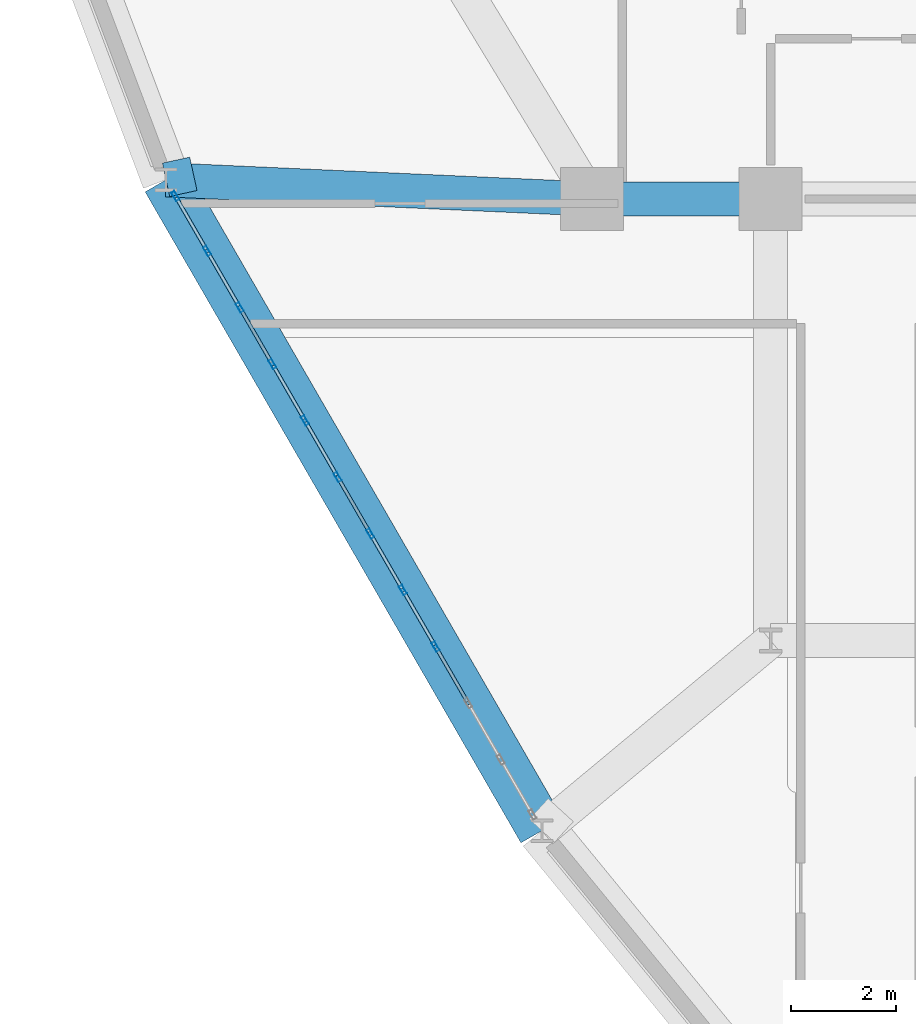
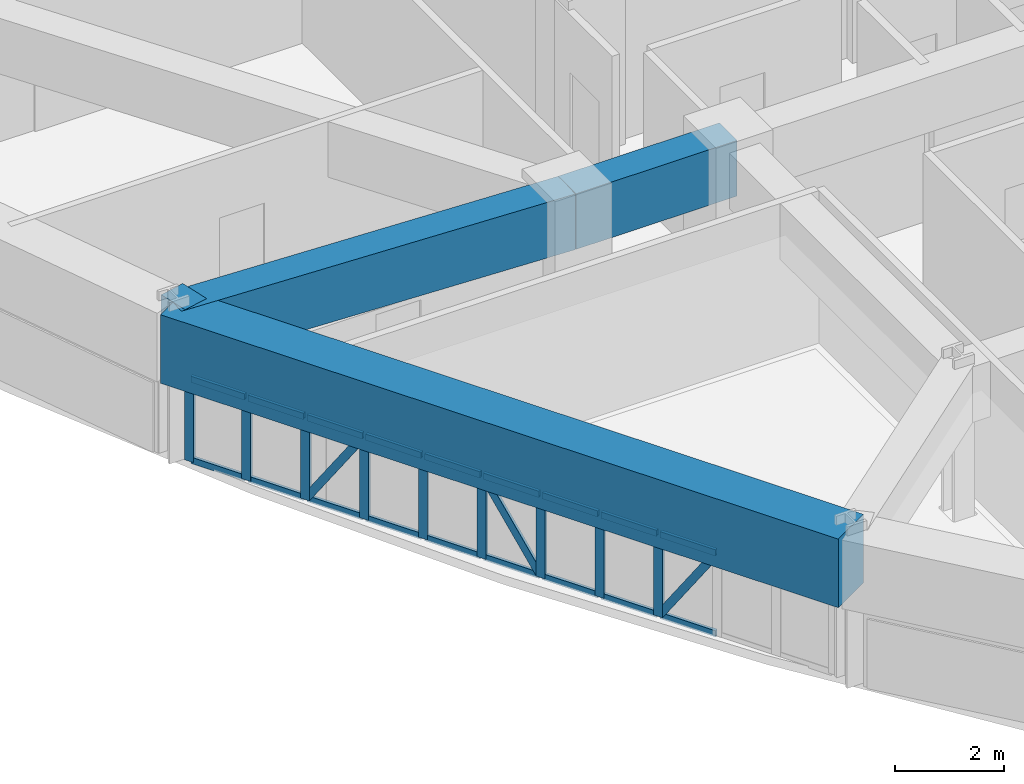
# One storey, part 4 of 16: 30 members, 4 beams, 1 element without a shape of its own.
"""IFC4 building model written with IfcOpenShell, lengths in metres."""

from ifc_helpers import new_model, si_unit, derived_unit, direction, frame, origin, origin_2d, place, context, subcontext, project, spatial, rectangle, hollow_rectangle, extrude, source, transform, mapped, material, layer, layer_set, material_profile, profile_set, type_object, element, aggregate, save


model = new_model("IFC4")

# Units and contexts
model_context = context("Model", 3, precision=1e-05, world=origin(), true_north=direction((0.0, 1.0)))
body_context = subcontext(model_context, "Body", "Model", "MODEL_VIEW")
ifc_project = project(units=[si_unit("LENGTHUNIT", "METRE"), si_unit("AREAUNIT", "SQUARE_METRE"), si_unit("VOLUMEUNIT", "CUBIC_METRE"), si_unit("PLANEANGLEUNIT", "RADIAN"), si_unit("MASSUNIT", "GRAM", prefix="KILO"), derived_unit("THERMALTRANSMITTANCEUNIT", [(si_unit("POWERUNIT", "WATT"), 1), (si_unit("LENGTHUNIT", "METRE"), -2), (si_unit("THERMODYNAMICTEMPERATUREUNIT", "KELVIN"), -1)])], contexts=[model_context])

# Site, building, storey
site_placement = place(None, origin())
site = spatial("IfcSite", under=ifc_project, at=site_placement, CompositionType="ELEMENT")
building_placement = place(site_placement, origin())
building = spatial("IfcBuilding", under=site, at=building_placement, Name="Korsvarv Bourse and Concert Hall", CompositionType="ELEMENT")
storey_placement = place(building_placement, frame((0.0, 0.0, 106.199951171875)))
storey = spatial("IfcBuildingStorey", under=building, at=storey_placement, Name="L26", CompositionType="ELEMENT", Elevation=106.199951171875)

# Beams
ifc_material_1 = material(Name="Concrete C50/60", Category="concrete")
ifc_material_profile_1 = material_profile(ifc_material_1, rectangle(XDim=0.64990234375, YDim=1.239990234375, at=origin_2d()), Name="RC-BM 650x1240")
ifc_profile_set_1 = profile_set([ifc_material_profile_1], Name="Concrete C50/60")
beam_type_1 = type_object("IfcBeamType", Name="BM-TR-SPN", PredefinedType="BEAM", material=ifc_profile_set_1)
shared_shape_1 = source(origin(), body_context, "Body", "SweptSolid", [
    extrude(rectangle(XDim=0.64990234375, YDim=1.239990234375, at=origin_2d()), origin(), (0.0, 0.0, 1.0), 3.400146484375),
])
beam_1_placement = place(storey_placement, frame((24.199951171875, 32.39990234375, 2.780029296875), z_axis=(1.0, 0.0, 0.0), x_axis=(0.0, 1.0, 0.0)))
element("IfcBeam", 1, at=beam_1_placement, inside=storey, type_object=beam_type_1, Name="L26 beam B-TRS", PredefinedType="BEAM", context=body_context, shape_type="MappedRepresentation", body=[
    mapped(shared_shape_1, transform((0.0, 0.0, 0.0), scale=1.0)),
])
ifc_material_profile_2 = material_profile(ifc_material_1, rectangle(XDim=0.919921875, YDim=1.530029296875, at=origin_2d()), Name="RC-BM 920x1530")
ifc_profile_set_2 = profile_set([ifc_material_profile_2], Name="Concrete C50/60")
beam_type_2 = type_object("IfcBeamType", Name="BM-TR-154", PredefinedType="BEAM", material=ifc_profile_set_2)
shared_shape_2 = source(origin(), body_context, "Body", "SweptSolid", [
    extrude(rectangle(XDim=0.919921875, YDim=1.530029296875, at=origin_2d()), origin(), (0.0, 0.0, 1.0), 14.298828125),
])
beam_2_placement = place(storey_placement, frame((16.099365234375, 32.765869140625, 2.635009765625), z_axis=(0.500002778788, -0.866023799444, 0.0), x_axis=(0.866023799444, 0.500002778788, 0.0)))
element("IfcBeam", 2, at=beam_2_placement, inside=storey, type_object=beam_type_2, Name="L26 beam B-TR6", PredefinedType="BEAM", context=body_context, shape_type="MappedRepresentation", body=[
    mapped(shared_shape_2, transform((0.0, 0.0, 0.0), scale=1.0)),
])
shared_shape_3 = source(origin(), body_context, "Body", "SweptSolid", [
    extrude(rectangle(XDim=0.64990234375, YDim=1.239990234375, at=origin_2d()), origin(), (0.0, 0.0, 1.0), 8.10888671875),
])
beam_3_placement = place(storey_placement, frame((16.099365234375, 32.765869140625, 2.780029296875), z_axis=(0.998981041914, -0.04513178366, 0.0), x_axis=(0.04513178366, 0.998981041914, 0.0)))
element("IfcBeam", 3, at=beam_3_placement, inside=storey, type_object=beam_type_1, Name="L26 beam B-TRS", PredefinedType="BEAM", context=body_context, shape_type="MappedRepresentation", body=[
    mapped(shared_shape_3, transform((0.0, 0.0, 0.0), scale=1.0)),
])
shared_shape_4 = source(origin(), body_context, "Body", "SweptSolid", [
    extrude(rectangle(XDim=0.64990234375, YDim=1.239990234375, at=origin_2d()), origin(), (0.0, 0.0, 1.0), 0.531982421875),
])
beam_4_placement = place(storey_placement, frame((16.099365234375, 32.765869140625, 2.780029296875), z_axis=(0.976968821008, 0.213382105105, 0.0), x_axis=(-0.213382105105, 0.976968821008, 0.0)))
element("IfcBeam", 4, at=beam_4_placement, inside=storey, type_object=beam_type_1, Name="L26 beam B-TRS", PredefinedType="BEAM", context=body_context, shape_type="MappedRepresentation", body=[
    mapped(shared_shape_4, transform((0.0, 0.0, 0.0), scale=1.0)),
])

# Curtain wall, members
ifc_material_2 = material(Name="Anodised aluminium and triple low-E glazing", Category="glass")
ifc_layer = layer(ifc_material_2, 0.2099609375)
ifc_layer_set = layer_set([ifc_layer], Name="Anodised aluminium and triple low-E glazing")
curtain_wall_type = type_object("IfcCurtainWallType", Name="CW-SYS-2", PredefinedType="NOTDEFINED", material=ifc_layer_set)
curtain_wall_placement = place(storey_placement, origin())
curtain_wall = element("IfcCurtainWall", 5, at=curtain_wall_placement, inside=storey, type_object=curtain_wall_type, Name="L26 CW2 curtain wall CW-L26-F07", PredefinedType="NOTDEFINED")
ifc_material_3 = material(Name="Extruded aluminium EN AW-6063 T66", Category="aluminium")
ifc_material_profile_3 = material_profile(ifc_material_3, hollow_rectangle(XDim=0.070068359375, YDim=0.18994140625, WallThickness=0.0048828125, at=origin_2d()), Name="ALU-M 70x190")
ifc_profile_set_3 = profile_set([ifc_material_profile_3], Name="Extruded aluminium EN AW-6063 T66")
member_type_1 = type_object("IfcMemberType", Name="CWM-190", PredefinedType="MULLION", material=ifc_profile_set_3)
shared_shape_5 = source(origin(), body_context, "Body", "SweptSolid", [
    extrude(hollow_rectangle(XDim=0.070068359375, YDim=0.18994140625, WallThickness=0.0048828125, at=origin_2d()), origin(), (0.0, 0.0, 1.0), 1.8701171875),
])
member_1_placement = place(storey_placement, frame((16.277099609375, 32.4580078125, 0.0), z_axis=(0.0, 0.0, 1.0), x_axis=(0.866024031595, 0.500002376695, 0.0)))
member_1 = element("IfcMember", 6, at=member_1_placement, type_object=member_type_1, Name="CW2 mullion 1", PredefinedType="MULLION", context=body_context, shape_type="MappedRepresentation", body=[
    mapped(shared_shape_5, transform((0.0, 0.0, 0.0), scale=1.0)),
])
member_2_placement = place(storey_placement, frame((16.88037109375, 31.4130859375, 0.0), z_axis=(0.0, 0.0, 1.0), x_axis=(0.866024031595, 0.500002376695, 0.0)))
member_2 = element("IfcMember", 7, at=member_2_placement, type_object=member_type_1, Name="CW2 mullion 2", PredefinedType="MULLION", context=body_context, shape_type="MappedRepresentation", body=[
    mapped(shared_shape_5, transform((0.0, 0.0, 0.0), scale=1.0)),
])
member_3_placement = place(storey_placement, frame((17.501220703125, 30.337646484375, 0.0), z_axis=(0.0, 0.0, 1.0), x_axis=(0.866024031595, 0.500002376695, 0.0)))
member_3 = element("IfcMember", 8, at=member_3_placement, type_object=member_type_1, Name="CW2 mullion 3", PredefinedType="MULLION", context=body_context, shape_type="MappedRepresentation", body=[
    mapped(shared_shape_5, transform((0.0, 0.0, 0.0), scale=1.0)),
])
member_4_placement = place(storey_placement, frame((18.1220703125, 29.262451171875, 0.0), z_axis=(0.0, 0.0, 1.0), x_axis=(0.866024031595, 0.500002376695, 0.0)))
member_4 = element("IfcMember", 9, at=member_4_placement, type_object=member_type_1, Name="CW2 mullion 4", PredefinedType="MULLION", context=body_context, shape_type="MappedRepresentation", body=[
    mapped(shared_shape_5, transform((0.0, 0.0, 0.0), scale=1.0)),
])
member_5_placement = place(storey_placement, frame((18.742919921875, 28.187255859375, 0.0), z_axis=(0.0, 0.0, 1.0), x_axis=(0.866024031595, 0.500002376695, 0.0)))
member_5 = element("IfcMember", 10, at=member_5_placement, type_object=member_type_1, Name="CW2 mullion 5", PredefinedType="MULLION", context=body_context, shape_type="MappedRepresentation", body=[
    mapped(shared_shape_5, transform((0.0, 0.0, 0.0), scale=1.0)),
])
member_6_placement = place(storey_placement, frame((19.36376953125, 27.11181640625, 0.0), z_axis=(0.0, 0.0, 1.0), x_axis=(0.866024031595, 0.500002376695, 0.0)))
member_6 = element("IfcMember", 11, at=member_6_placement, type_object=member_type_1, Name="CW2 mullion 6", PredefinedType="MULLION", context=body_context, shape_type="MappedRepresentation", body=[
    mapped(shared_shape_5, transform((0.0, 0.0, 0.0), scale=1.0)),
])
member_7_placement = place(storey_placement, frame((19.984619140625, 26.03662109375, 0.0), z_axis=(0.0, 0.0, 1.0), x_axis=(0.866024031595, 0.500002376695, 0.0)))
member_7 = element("IfcMember", 12, at=member_7_placement, type_object=member_type_1, Name="CW2 mullion 7", PredefinedType="MULLION", context=body_context, shape_type="MappedRepresentation", body=[
    mapped(shared_shape_5, transform((0.0, 0.0, 0.0), scale=1.0)),
])
member_8_placement = place(storey_placement, frame((20.605224609375, 24.96142578125, 0.0), z_axis=(0.0, 0.0, 1.0), x_axis=(0.866024031595, 0.500002376695, 0.0)))
member_8 = element("IfcMember", 13, at=member_8_placement, type_object=member_type_1, Name="CW2 mullion 8", PredefinedType="MULLION", context=body_context, shape_type="MappedRepresentation", body=[
    mapped(shared_shape_5, transform((0.0, 0.0, 0.0), scale=1.0)),
])
member_9_placement = place(storey_placement, frame((21.22607421875, 23.885986328125, 0.0), z_axis=(0.0, 0.0, 1.0), x_axis=(0.866024031595, 0.500002376695, 0.0)))
member_9 = element("IfcMember", 14, at=member_9_placement, type_object=member_type_1, Name="CW2 mullion 9", PredefinedType="MULLION", context=body_context, shape_type="MappedRepresentation", body=[
    mapped(shared_shape_5, transform((0.0, 0.0, 0.0), scale=1.0)),
])
ifc_material_profile_4 = material_profile(ifc_material_3, hollow_rectangle(XDim=0.06494140625, YDim=0.139892578125, WallThickness=0.00390625, at=origin_2d()), Name="ALU-T 65x140")
ifc_profile_set_4 = profile_set([ifc_material_profile_4], Name="Extruded aluminium EN AW-6063 T66")
member_type_2 = type_object("IfcMemberType", Name="CWT-140", PredefinedType="USERDEFINED", material=ifc_profile_set_4)
shared_shape_6 = source(origin(), body_context, "Body", "SweptSolid", [
    extrude(hollow_rectangle(XDim=0.06494140625, YDim=0.139892578125, WallThickness=0.00390625, at=origin_2d()), origin(), (0.0, 0.0, 1.0), 1.13671875),
])
member_10_placement = place(storey_placement, frame((16.294677734375, 32.427734375, 0.032470703125), z_axis=(0.50001992892, -0.866013897511, 0.0), x_axis=(0.866013897511, 0.50001992892, 0.0)))
member_10 = element("IfcMember", 15, at=member_10_placement, type_object=member_type_2, Name="CW2 transom 1.1", ObjectType="TRANSOM", PredefinedType="USERDEFINED", context=body_context, shape_type="MappedRepresentation", body=[
    mapped(shared_shape_6, transform((0.0, 0.0, 0.0), scale=1.0)),
])
member_11_placement = place(storey_placement, frame((16.294677734375, 32.427734375, 1.837646484375), z_axis=(0.50001992892, -0.866013897511, 0.0), x_axis=(0.866013897511, 0.50001992892, 0.0)))
member_11 = element("IfcMember", 16, at=member_11_placement, type_object=member_type_2, Name="CW2 transom 1.2", ObjectType="TRANSOM", PredefinedType="USERDEFINED", context=body_context, shape_type="MappedRepresentation", body=[
    mapped(shared_shape_6, transform((0.0, 0.0, 0.0), scale=1.0)),
])
shared_shape_7 = source(origin(), body_context, "Body", "SweptSolid", [
    extrude(hollow_rectangle(XDim=0.06494140625, YDim=0.139892578125, WallThickness=0.00390625, at=origin_2d()), origin(), (0.0, 0.0, 1.0), 1.171630859375),
])
member_12_placement = place(storey_placement, frame((16.89794921875, 31.3828125, 0.032470703125), z_axis=(0.49992689739, -0.866067605482, 0.0), x_axis=(0.866067605482, 0.49992689739, 0.0)))
member_12 = element("IfcMember", 17, at=member_12_placement, type_object=member_type_2, Name="CW2 transom 2.1", ObjectType="TRANSOM", PredefinedType="USERDEFINED", context=body_context, shape_type="MappedRepresentation", body=[
    mapped(shared_shape_7, transform((0.0, 0.0, 0.0), scale=1.0)),
])
member_13_placement = place(storey_placement, frame((16.89794921875, 31.3828125, 1.837646484375), z_axis=(0.49992689739, -0.866067605482, 0.0), x_axis=(0.866067605482, 0.49992689739, 0.0)))
member_13 = element("IfcMember", 18, at=member_13_placement, type_object=member_type_2, Name="CW2 transom 2.2", ObjectType="TRANSOM", PredefinedType="USERDEFINED", context=body_context, shape_type="MappedRepresentation", body=[
    mapped(shared_shape_7, transform((0.0, 0.0, 0.0), scale=1.0)),
])
member_14_placement = place(storey_placement, frame((17.518798828125, 30.307373046875, 0.032470703125), z_axis=(0.49992689739, -0.866067605482, 0.0), x_axis=(0.866067605482, 0.49992689739, 0.0)))
member_14 = element("IfcMember", 19, at=member_14_placement, type_object=member_type_2, Name="CW2 transom 3.1", ObjectType="TRANSOM", PredefinedType="USERDEFINED", context=body_context, shape_type="MappedRepresentation", body=[
    mapped(shared_shape_7, transform((0.0, 0.0, 0.0), scale=1.0)),
])
member_15_placement = place(storey_placement, frame((17.518798828125, 30.307373046875, 1.837646484375), z_axis=(0.49992689739, -0.866067605482, 0.0), x_axis=(0.866067605482, 0.49992689739, 0.0)))
member_15 = element("IfcMember", 20, at=member_15_placement, type_object=member_type_2, Name="CW2 transom 3.2", ObjectType="TRANSOM", PredefinedType="USERDEFINED", context=body_context, shape_type="MappedRepresentation", body=[
    mapped(shared_shape_7, transform((0.0, 0.0, 0.0), scale=1.0)),
])
member_16_placement = place(storey_placement, frame((18.1396484375, 29.232177734375, 0.032470703125), z_axis=(0.49992689739, -0.866067605482, 0.0), x_axis=(0.866067605482, 0.49992689739, 0.0)))
member_16 = element("IfcMember", 21, at=member_16_placement, type_object=member_type_2, Name="CW2 transom 4.1", ObjectType="TRANSOM", PredefinedType="USERDEFINED", context=body_context, shape_type="MappedRepresentation", body=[
    mapped(shared_shape_7, transform((0.0, 0.0, 0.0), scale=1.0)),
])
member_17_placement = place(storey_placement, frame((18.1396484375, 29.232177734375, 1.837646484375), z_axis=(0.49992689739, -0.866067605482, 0.0), x_axis=(0.866067605482, 0.49992689739, 0.0)))
member_17 = element("IfcMember", 22, at=member_17_placement, type_object=member_type_2, Name="CW2 transom 4.2", ObjectType="TRANSOM", PredefinedType="USERDEFINED", context=body_context, shape_type="MappedRepresentation", body=[
    mapped(shared_shape_7, transform((0.0, 0.0, 0.0), scale=1.0)),
])
member_18_placement = place(storey_placement, frame((19.381103515625, 27.08154296875, 0.032470703125), z_axis=(0.500083180475, -0.865977374189, 0.0), x_axis=(0.865977374189, 0.500083180475, 0.0)))
member_18 = element("IfcMember", 23, at=member_18_placement, type_object=member_type_2, Name="CW2 transom 6.1", ObjectType="TRANSOM", PredefinedType="USERDEFINED", context=body_context, shape_type="MappedRepresentation", body=[
    mapped(shared_shape_7, transform((0.0, 0.0, 0.0), scale=1.0)),
])
member_19_placement = place(storey_placement, frame((19.381103515625, 27.08154296875, 1.837646484375), z_axis=(0.500083180475, -0.865977374189, 0.0), x_axis=(0.865977374189, 0.500083180475, 0.0)))
member_19 = element("IfcMember", 24, at=member_19_placement, type_object=member_type_2, Name="CW2 transom 6.2", ObjectType="TRANSOM", PredefinedType="USERDEFINED", context=body_context, shape_type="MappedRepresentation", body=[
    mapped(shared_shape_7, transform((0.0, 0.0, 0.0), scale=1.0)),
])
member_20_placement = place(storey_placement, frame((20.001953125, 26.00634765625, 0.032470703125), z_axis=(0.500083180475, -0.865977374189, 0.0), x_axis=(0.865977374189, 0.500083180475, 0.0)))
member_20 = element("IfcMember", 25, at=member_20_placement, type_object=member_type_2, Name="CW2 transom 7.1", ObjectType="TRANSOM", PredefinedType="USERDEFINED", context=body_context, shape_type="MappedRepresentation", body=[
    mapped(shared_shape_7, transform((0.0, 0.0, 0.0), scale=1.0)),
])
member_21_placement = place(storey_placement, frame((20.001953125, 26.00634765625, 1.837646484375), z_axis=(0.500083180475, -0.865977374189, 0.0), x_axis=(0.865977374189, 0.500083180475, 0.0)))
member_21 = element("IfcMember", 26, at=member_21_placement, type_object=member_type_2, Name="CW2 transom 7.2", ObjectType="TRANSOM", PredefinedType="USERDEFINED", context=body_context, shape_type="MappedRepresentation", body=[
    mapped(shared_shape_7, transform((0.0, 0.0, 0.0), scale=1.0)),
])
member_22_placement = place(storey_placement, frame((20.622802734375, 24.930908203125, 0.032470703125), z_axis=(0.500083180475, -0.865977374189, 0.0), x_axis=(0.865977374189, 0.500083180475, 0.0)))
member_22 = element("IfcMember", 27, at=member_22_placement, type_object=member_type_2, Name="CW2 transom 8.1", ObjectType="TRANSOM", PredefinedType="USERDEFINED", context=body_context, shape_type="MappedRepresentation", body=[
    mapped(shared_shape_7, transform((0.0, 0.0, 0.0), scale=1.0)),
])
member_23_placement = place(storey_placement, frame((20.622802734375, 24.930908203125, 1.837646484375), z_axis=(0.500083180475, -0.865977374189, 0.0), x_axis=(0.865977374189, 0.500083180475, 0.0)))
member_23 = element("IfcMember", 28, at=member_23_placement, type_object=member_type_2, Name="CW2 transom 8.2", ObjectType="TRANSOM", PredefinedType="USERDEFINED", context=body_context, shape_type="MappedRepresentation", body=[
    mapped(shared_shape_7, transform((0.0, 0.0, 0.0), scale=1.0)),
])
member_24_placement = place(storey_placement, frame((21.24365234375, 23.855712890625, 0.032470703125), z_axis=(0.49992689739, -0.866067605482, 0.0), x_axis=(0.866067605482, 0.49992689739, 0.0)))
member_24 = element("IfcMember", 29, at=member_24_placement, type_object=member_type_2, Name="CW2 transom 9.1", ObjectType="TRANSOM", PredefinedType="USERDEFINED", context=body_context, shape_type="MappedRepresentation", body=[
    mapped(shared_shape_7, transform((0.0, 0.0, 0.0), scale=1.0)),
])
member_25_placement = place(storey_placement, frame((21.24365234375, 23.855712890625, 1.837646484375), z_axis=(0.49992689739, -0.866067605482, 0.0), x_axis=(0.866067605482, 0.49992689739, 0.0)))
member_25 = element("IfcMember", 30, at=member_25_placement, type_object=member_type_2, Name="CW2 transom 9.2", ObjectType="TRANSOM", PredefinedType="USERDEFINED", context=body_context, shape_type="MappedRepresentation", body=[
    mapped(shared_shape_7, transform((0.0, 0.0, 0.0), scale=1.0)),
])
ifc_material_profile_5 = material_profile(ifc_material_3, hollow_rectangle(XDim=0.06494140625, YDim=0.1650390625, WallThickness=0.0048828125, at=origin_2d()), Name="ALU-M 65x165")
ifc_profile_set_5 = profile_set([ifc_material_profile_5], Name="Extruded aluminium EN AW-6063 T66")
member_type_3 = type_object("IfcMemberType", Name="CWM-165", PredefinedType="MULLION", material=ifc_profile_set_5)
shared_shape_8 = source(origin(), body_context, "Body", "SweptSolid", [
    extrude(hollow_rectangle(XDim=0.06494140625, YDim=0.1650390625, WallThickness=0.0048828125, at=origin_2d()), origin(), (0.0, 0.0, 1.0), 2.09765625),
])
member_26_placement = place(storey_placement, frame((17.518798828125, 30.307373046875, 0.06494140625), z_axis=(0.279214730722, -0.483708387195, 0.829497034537), x_axis=(0.866067605482, 0.49992689739, 0.0)))
member_26 = element("IfcMember", 31, at=member_26_placement, type_object=member_type_3, Name="CW2 diagonal mullion 3", PredefinedType="MULLION", context=body_context, shape_type="MappedRepresentation", body=[
    mapped(shared_shape_8, transform((0.0, 0.0, 0.0), scale=1.0)),
])
member_27_placement = place(storey_placement, frame((19.967041015625, 26.06689453125, 0.06494140625), z_axis=(-0.27932203975, 0.4836926655, 0.829470073873), x_axis=(-0.865977374189, -0.500083180475, 0.0)))
member_27 = element("IfcMember", 32, at=member_27_placement, type_object=member_type_3, Name="CW2 diagonal mullion 6", PredefinedType="MULLION", context=body_context, shape_type="MappedRepresentation", body=[
    mapped(shared_shape_8, transform((0.0, 0.0, 0.0), scale=1.0)),
])
member_28_placement = place(storey_placement, frame((21.24365234375, 23.855712890625, 0.06494140625), z_axis=(0.279214730722, -0.483708387195, 0.829497034537), x_axis=(0.866067605482, 0.49992689739, 0.0)))
member_28 = element("IfcMember", 33, at=member_28_placement, type_object=member_type_3, Name="CW2 diagonal mullion 9", PredefinedType="MULLION", context=body_context, shape_type="MappedRepresentation", body=[
    mapped(shared_shape_8, transform((0.0, 0.0, 0.0), scale=1.0)),
])
shared_shape_9 = source(origin(), body_context, "Body", "SweptSolid", [
    extrude(hollow_rectangle(XDim=0.06494140625, YDim=0.139892578125, WallThickness=0.00390625, at=origin_2d()), origin(), (0.0, 0.0, 1.0), 1.171875),
])
member_29_placement = place(storey_placement, frame((18.76025390625, 28.156982421875, 0.032470703125), z_axis=(0.499992958048, -0.866029469419, 0.0), x_axis=(0.866029469419, 0.499992958048, 0.0)))
member_29 = element("IfcMember", 34, at=member_29_placement, type_object=member_type_2, Name="CW2 transom 5.1", ObjectType="TRANSOM", PredefinedType="USERDEFINED", context=body_context, shape_type="MappedRepresentation", body=[
    mapped(shared_shape_9, transform((0.0, 0.0, 0.0), scale=1.0)),
])
member_30_placement = place(storey_placement, frame((18.76025390625, 28.156982421875, 1.837646484375), z_axis=(0.499992958048, -0.866029469419, 0.0), x_axis=(0.866029469419, 0.499992958048, 0.0)))
member_30 = element("IfcMember", 35, at=member_30_placement, type_object=member_type_2, Name="CW2 transom 5.2", ObjectType="TRANSOM", PredefinedType="USERDEFINED", context=body_context, shape_type="MappedRepresentation", body=[
    mapped(shared_shape_9, transform((0.0, 0.0, 0.0), scale=1.0)),
])
aggregate(curtain_wall, [member_1, member_2, member_3, member_4, member_5, member_6, member_7, member_8, member_9, member_10, member_11, member_12, member_13, member_14, member_15, member_26, member_16, member_17, member_29, member_30, member_18, member_19, member_27, member_20, member_21, member_22, member_23, member_24, member_25, member_28])

save(model, "model.ifc")
